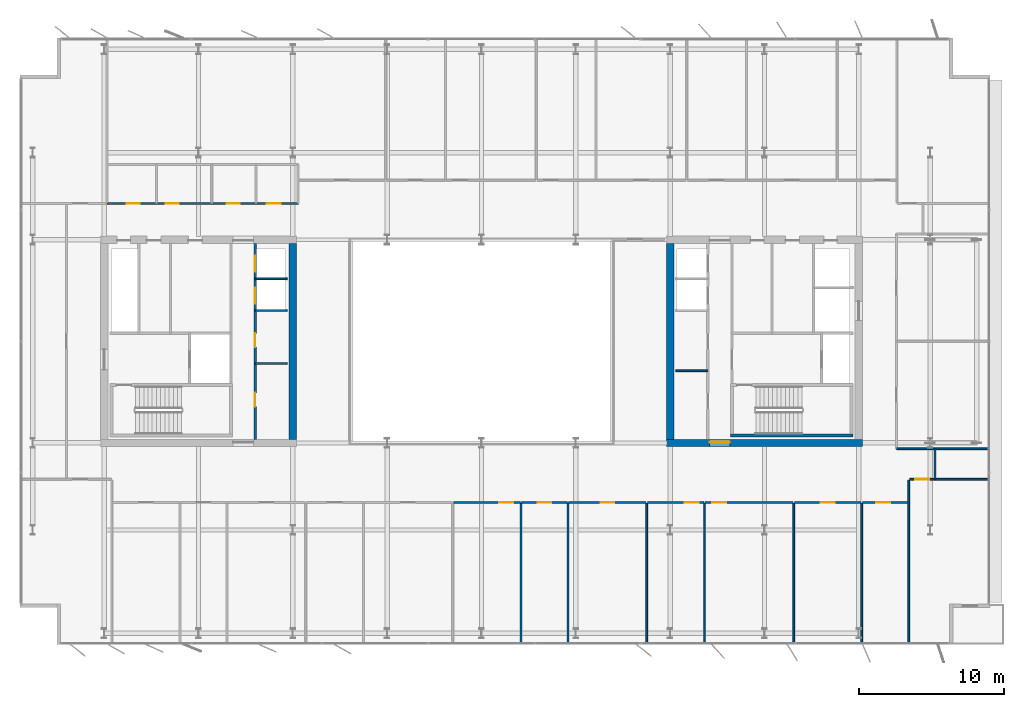
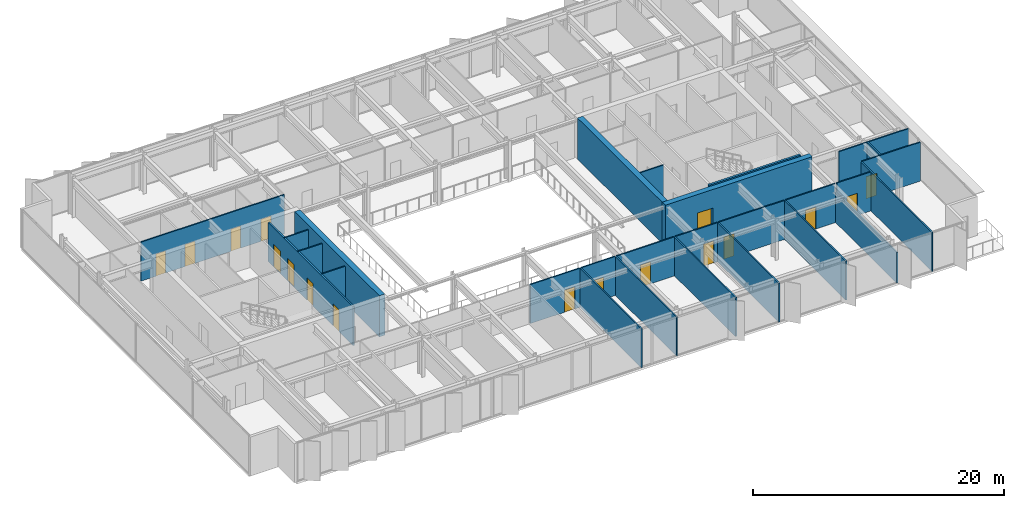
# One storey, part 14 of 20: 27 walls, 17 doors, 17 openings.
"""IFC4 building model written with IfcOpenShell, lengths in metres."""

from ifc_helpers import new_model, si_unit, direction, frame, frame_2d, origin, place, context, subcontext, project, spatial, rectangle, extrude, material, layer, layer_set, type_object, element, fill, save


model = new_model("IFC4")

# Units and contexts
model_context = context("Model", 3, precision=1e-05, world=origin(), true_north=direction((0.0, 1.0)))
body_context = subcontext(model_context, "Body", "Model", "MODEL_VIEW")
ifc_project = project(units=[si_unit("LENGTHUNIT", "METRE"), si_unit("AREAUNIT", "SQUARE_METRE"), si_unit("VOLUMEUNIT", "CUBIC_METRE"), si_unit("PLANEANGLEUNIT", "RADIAN"), si_unit("MASSUNIT", "GRAM", prefix="KILO")], contexts=[model_context])

# Site, building, storey
site_placement = place(None, origin())
site = spatial("IfcSite", under=ifc_project, at=site_placement, CompositionType="ELEMENT")
building_placement = place(site_placement, origin())
building = spatial("IfcBuilding", under=site, at=building_placement, Name="Putna Gate Headquarters", CompositionType="ELEMENT")
storey_placement = place(building_placement, frame((0.0, 0.0, 302.39990234375)))
storey = spatial("IfcBuildingStorey", under=building, at=storey_placement, Name="L76", CompositionType="ELEMENT", Elevation=302.39990234375)

# Wall
ifc_material_1 = material(Name="Concrete C50/60", Category="concrete")
ifc_layer_1 = layer(ifc_material_1, 0.5)
ifc_layer_set_1 = layer_set([ifc_layer_1], Name="Concrete C50/60")
wall_type_1 = type_object("IfcWallType", Name="WALL-CORE-500", PredefinedType="SHEAR", material=ifc_layer_set_1)
wall_1_placement = place(storey_placement, frame((26.0, 19.25, 0.0), z_axis=(0.0, 0.0, 1.0), x_axis=(0.0, 1.0, 0.0)))
element("IfcWall", 1, at=wall_1_placement, inside=storey, type_object=wall_type_1, Name="L76 WC Split Core Shear Wall E", PredefinedType="SHEAR", context=body_context, shape_type="SweptSolid", body=[
    extrude(rectangle(XDim=13.5, YDim=0.5, at=frame_2d((6.75, 0.0))), origin(), (0.0, 0.0, 1.0), 4.0),
])

# Wall, opening, door
wall_2_placement = place(storey_placement, frame((51.75, 19.0, 0.0), z_axis=(0.0, 0.0, 1.0), x_axis=(1.0, 0.0, 0.0)))
wall_2 = element("IfcWall", 2, at=wall_2_placement, inside=storey, type_object=wall_type_1, Name="L76 EC Split Core Shear Wall S", PredefinedType="SHEAR", context=body_context, shape_type="SweptSolid", body=[
    extrude(rectangle(XDim=13.5, YDim=0.5, at=frame_2d((6.75, 0.0))), origin(), (0.0, 0.0, 1.0), 4.0),
])
opening_1_placement = place(wall_2_placement, frame((2.969970703125, 0.0, 0.0)))
opening_1 = element("IfcOpeningElement", 3, at=opening_1_placement, cuts=wall_2, Name="Opening FDD-140", PredefinedType="OPENING", context=body_context, shape_type="SweptSolid", body=[
    extrude(rectangle(XDim=1.39990234375, YDim=2.199951171875, at=frame_2d((0.699951171875, 1.10009765625))), frame((0.0, 0.260009765625, 0.0), z_axis=(0.0, -1.0, 0.0), x_axis=(1.0, 0.0, 0.0)), (0.0, 0.0, 1.0), 0.52001953125),
])
ifc_material_2 = material(Name="Double steel fire door", Category="steel")
door_type_1 = type_object("IfcDoorType", Name="DOOR-FIRE-DBL-1400", OperationType="DOUBLE_DOOR_SINGLE_SWING", PredefinedType="DOOR", material=ifc_material_2)
door_1_placement = place(opening_1_placement, origin())
door_1 = element("IfcDoor", 4, at=door_1_placement, inside=storey, type_object=door_type_1, Name="L76 East Lift Lobby South Door", OperationType="DOUBLE_DOOR_SINGLE_SWING", OverallHeight=2.199951171875, OverallWidth=1.39990234375, PredefinedType="DOOR", context=body_context, shape_type="SweptSolid", body=[
    extrude(rectangle(XDim=1.39990234375, YDim=2.199951171875, at=frame_2d((0.699951171875, 1.10009765625))), frame((0.0, 0.0751953125, 0.0), z_axis=(0.0, -1.0, 0.0), x_axis=(1.0, 0.0, 0.0)), (0.0, 0.0, 1.0), 0.050048828125),
])
fill(opening_1, door_1)

# Walls
wall_3_placement = place(storey_placement, frame((52.0, 19.25, 0.0), z_axis=(0.0, 0.0, 1.0), x_axis=(0.0, 1.0, 0.0)))
element("IfcWall", 5, at=wall_3_placement, inside=storey, type_object=wall_type_1, Name="L76 EC Split Core Shear Wall W", PredefinedType="SHEAR", context=body_context, shape_type="SweptSolid", body=[
    extrude(rectangle(XDim=13.5, YDim=0.5, at=frame_2d((6.75, 0.0))), origin(), (0.0, 0.0, 1.0), 4.0),
])
ifc_material_3 = material(Name="Acoustic gypsum board on metal stud")
ifc_layer_2 = layer(ifc_material_3, 0.1201171875)
ifc_layer_set_2 = layer_set([ifc_layer_2], Name="Acoustic gypsum board on metal stud")
wall_type_2 = type_object("IfcWallType", Name="WALL-PART-120", PredefinedType="PARTITIONING", material=ifc_layer_set_2)
for number, where, z_axis, x_axis, name in (
    (6, (41.716552734375, 5.1201171875, 0.0), (0.0, 0.0, 1.0), (0.0, 1.0, 0.0), "L76 Interior Wall PART-L76-SB-DIV-07"),
    (7, (44.961181640625, 5.1201171875, 0.0), (0.0, 0.0, 1.0), (0.0, 1.0, 0.0), "L76 Interior Wall PART-L76-SB-DIV-08"),
    (8, (50.38720703125, 5.1201171875, 0.0), (0.0, 0.0, 1.0), (0.0, 1.0, 0.0), "L76 Interior Wall PART-L76-SB-DIV-09"),
    (9, (54.356689453125, 5.1201171875, 0.0), (0.0, 0.0, 1.0), (0.0, 1.0, 0.0), "L76 Interior Wall PART-L76-SB-DIV-10"),
    (10, (60.507080078125, 5.1201171875, 0.0), (0.0, 0.0, 1.0), (0.0, 1.0, 0.0), "L76 Interior Wall PART-L76-SB-DIV-11"),
):
    element("IfcWall", number, at=place(storey_placement, frame(where, z_axis=z_axis, x_axis=x_axis)), inside=storey, type_object=wall_type_2, Name=name, PredefinedType="PARTITIONING", context=body_context, shape_type="SweptSolid", body=[
        extrude(rectangle(XDim=9.719970703125, YDim=0.1201171875, at=frame_2d((4.85986328125, 0.0))), origin(), (0.0, 0.0, 1.0), 3.7880859375),
    ])
wall_4_placement = place(storey_placement, frame((65.201416015625, 5.1201171875, 0.0), z_axis=(0.0, 0.0, 1.0), x_axis=(0.0, 1.0, 0.0)))
element("IfcWall", 11, at=wall_4_placement, inside=storey, type_object=wall_type_2, Name="L76 Interior Wall PART-L76-SB-DIV-12", PredefinedType="PARTITIONING", context=body_context, shape_type="SweptSolid", body=[
    extrude(rectangle(XDim=9.719970703125, YDim=0.1201171875, at=frame_2d((4.85986328125, 0.0))), origin(), (0.0, 0.0, 1.0), 2.988037109375),
])
wall_5_placement = place(storey_placement, frame((68.4462890625, 5.1201171875, 0.0), z_axis=(0.0, 0.0, 1.0), x_axis=(0.0, 1.0, 0.0)))
element("IfcWall", 12, at=wall_5_placement, inside=storey, type_object=wall_type_2, Name="L76 Interior Wall PART-L76-SB-DIV-13", PredefinedType="PARTITIONING", context=body_context, shape_type="SweptSolid", body=[
    extrude(rectangle(XDim=11.31982421875, YDim=0.1201171875, at=frame_2d((5.659912109375, 0.0))), origin(), (0.0, 0.0, 1.0), 3.7880859375),
])
ifc_material_4 = material(Name="Fire-rated shaftwall gypsum board on metal stud")
ifc_layer_3 = layer(ifc_material_4, 0.1201171875)
ifc_layer_set_3 = layer_set([ifc_layer_3], Name="Fire-rated shaftwall gypsum board on metal stud")
wall_type_3 = type_object("IfcWallType", Name="WALL-PART-120-EI120", PredefinedType="PARTITIONING", material=ifc_layer_set_3)
wall_6_placement = place(storey_placement, frame((23.39990234375, 30.31005859375, 0.0), z_axis=(0.0, 0.0, 1.0), x_axis=(1.0, 0.0, 0.0)))
element("IfcWall", 13, at=wall_6_placement, inside=storey, type_object=wall_type_3, Name="L76 Interior Wall CWINT-L76-WC-LF09-DIV", PredefinedType="PARTITIONING", context=body_context, shape_type="SweptSolid", body=[
    extrude(rectangle(XDim=2.2001953125, YDim=0.1201171875, at=frame_2d((1.10009765625, 0.0))), origin(), (0.0, 0.0, 1.0), 3.7880859375),
])
ifc_material_5 = material(Name="Fire-rated gypsum board on metal stud")
ifc_layer_4 = layer(ifc_material_5, 0.1201171875)
ifc_layer_set_4 = layer_set([ifc_layer_4], Name="Fire-rated gypsum board on metal stud")
wall_type_4 = type_object("IfcWallType", Name="WALL-PART-120-RATED", PredefinedType="PARTITIONING", material=ifc_layer_set_4)
for number, where, z_axis, x_axis, name in (
    (14, (23.39990234375, 24.469970703125, 0.0), (0.0, 0.0, 1.0), (1.0, 0.0, 0.0), "L76 Interior Wall CWINT-L76-WC-REUSE-DIV"),
    (15, (23.39990234375, 28.1201171875, 0.0), (0.0, 0.0, 1.0), (1.0, 0.0, 0.0), "L76 Interior Wall CWINT-L76-WC-LF06-DIV"),
    (16, (52.39990234375, 23.969970703125, 0.0), (0.0, 0.0, 1.0), (1.0, 0.0, 0.0), "L76 Interior Wall CWINT-L76-EC-REUSE-DIV"),
):
    element("IfcWall", number, at=place(storey_placement, frame(where, z_axis=z_axis, x_axis=x_axis)), inside=storey, type_object=wall_type_4, Name=name, PredefinedType="PARTITIONING", context=body_context, shape_type="SweptSolid", body=[
        extrude(rectangle(XDim=2.2001953125, YDim=0.1201171875, at=frame_2d((1.10009765625, 0.0))), origin(), (0.0, 0.0, 1.0), 3.7880859375),
    ])
wall_7_placement = place(storey_placement, frame((70.246337890625, 16.5, 0.0), z_axis=(0.0, 0.0, 1.0), x_axis=(0.0, 1.0, 0.0)))
element("IfcWall", 17, at=wall_7_placement, inside=storey, type_object=wall_type_4, Name="L76 Interior Wall PART-L76-CORRS-CAPE", PredefinedType="PARTITIONING", context=body_context, shape_type="SweptSolid", body=[
    extrude(rectangle(XDim=2.10009765625, YDim=0.1201171875, at=frame_2d((1.050048828125, 0.0))), origin(), (0.0, 0.0, 1.0), 3.7880859375),
])

# Wall, openings, doors
wall_8_placement = place(storey_placement, frame((13.199951171875, 35.5, 0.0), z_axis=(0.0, 0.0, 1.0), x_axis=(1.0, 0.0, 0.0)))
wall_8 = element("IfcWall", 18, at=wall_8_placement, inside=storey, type_object=wall_type_4, Name="L76 Interior Wall PART-L76-SAN-CW", PredefinedType="PARTITIONING", context=body_context, shape_type="SweptSolid", body=[
    extrude(rectangle(XDim=13.16015625, YDim=0.1201171875, at=frame_2d((6.580078125, 0.0))), origin(), (0.0, 0.0, 1.0), 3.7880859375),
])
opening_2_placement = place(wall_8_placement, frame((1.35009765625, 0.0, 0.0)))
opening_2 = element("IfcOpeningElement", 19, at=opening_2_placement, cuts=wall_8, Name="Opening FD-90", PredefinedType="OPENING", context=body_context, shape_type="SweptSolid", body=[
    extrude(rectangle(XDim=0.89990234375, YDim=2.14990234375, at=frame_2d((0.449951171875, 1.074951171875))), frame((0.0, 0.070068359375, 0.0), z_axis=(0.0, -1.0, 0.0), x_axis=(1.0, 0.0, 0.0)), (0.0, 0.0, 1.0), 0.14013671875),
])
opening_3_placement = place(wall_8_placement, frame((4.050048828125, 0.0, 0.0)))
opening_3 = element("IfcOpeningElement", 20, at=opening_3_placement, cuts=wall_8, Name="Opening FD-90", PredefinedType="OPENING", context=body_context, shape_type="SweptSolid", body=[
    extrude(rectangle(XDim=0.89990234375, YDim=2.14990234375, at=frame_2d((0.449951171875, 1.074951171875))), frame((0.0, 0.070068359375, 0.0), z_axis=(0.0, -1.0, 0.0), x_axis=(1.0, 0.0, 0.0)), (0.0, 0.0, 1.0), 0.14013671875),
])
opening_4_placement = place(wall_8_placement, frame((8.25, 0.0, 0.0)))
opening_4 = element("IfcOpeningElement", 21, at=opening_4_placement, cuts=wall_8, Name="Opening FD-90", PredefinedType="OPENING", context=body_context, shape_type="SweptSolid", body=[
    extrude(rectangle(XDim=0.89990234375, YDim=2.14990234375, at=frame_2d((0.449951171875, 1.074951171875))), frame((0.0, 0.070068359375, 0.0), z_axis=(0.0, -1.0, 0.0), x_axis=(1.0, 0.0, 0.0)), (0.0, 0.0, 1.0), 0.14013671875),
])
opening_5_placement = place(wall_8_placement, frame((11.0, 0.0, 0.0)))
opening_5 = element("IfcOpeningElement", 22, at=opening_5_placement, cuts=wall_8, Name="Opening FD-95", PredefinedType="OPENING", context=body_context, shape_type="SweptSolid", body=[
    extrude(rectangle(XDim=0.949951171875, YDim=2.14990234375, at=frame_2d((0.47509765625, 1.074951171875))), frame((0.0, 0.070068359375, 0.0), z_axis=(0.0, -1.0, 0.0), x_axis=(1.0, 0.0, 0.0)), (0.0, 0.0, 1.0), 0.14013671875),
])
ifc_material_6 = material(Name="Acoustic washroom fire door")
door_type_2 = type_object("IfcDoorType", Name="DOOR-FIRE-900", OperationType="NOTDEFINED", PredefinedType="DOOR", material=ifc_material_6)
door_2_placement = place(opening_2_placement, origin())
door_2 = element("IfcDoor", 23, at=door_2_placement, inside=storey, type_object=door_type_2, Name="L76 Washroom Male Door", OperationType="SINGLE_SWING_RIGHT", OverallHeight=2.14990234375, OverallWidth=0.89990234375, PredefinedType="DOOR", context=body_context, shape_type="SweptSolid", body=[
    extrude(rectangle(XDim=0.89990234375, YDim=2.14990234375, at=frame_2d((0.449951171875, 1.074951171875))), frame((0.0, 0.02490234375, 0.0), z_axis=(0.0, -1.0, 0.0), x_axis=(1.0, 0.0, 0.0)), (0.0, 0.0, 1.0), 0.050048828125),
])
fill(opening_2, door_2)
door_3_placement = place(opening_3_placement, origin())
door_3 = element("IfcDoor", 24, at=door_3_placement, inside=storey, type_object=door_type_2, Name="L76 Washroom Female Door", OperationType="SINGLE_SWING_LEFT", OverallHeight=2.14990234375, OverallWidth=0.89990234375, PredefinedType="DOOR", context=body_context, shape_type="SweptSolid", body=[
    extrude(rectangle(XDim=0.89990234375, YDim=2.14990234375, at=frame_2d((0.449951171875, 1.074951171875))), frame((0.0, 0.02490234375, 0.0), z_axis=(0.0, -1.0, 0.0), x_axis=(1.0, 0.0, 0.0)), (0.0, 0.0, 1.0), 0.050048828125),
])
fill(opening_3, door_3)
door_4_placement = place(opening_4_placement, origin())
door_4 = element("IfcDoor", 25, at=door_4_placement, inside=storey, type_object=door_type_2, Name="L76 Accessible WC Door", OperationType="SINGLE_SWING_RIGHT", OverallHeight=2.14990234375, OverallWidth=0.89990234375, PredefinedType="DOOR", context=body_context, shape_type="SweptSolid", body=[
    extrude(rectangle(XDim=0.89990234375, YDim=2.14990234375, at=frame_2d((0.449951171875, 1.074951171875))), frame((0.0, 0.02490234375, 0.0), z_axis=(0.0, -1.0, 0.0), x_axis=(1.0, 0.0, 0.0)), (0.0, 0.0, 1.0), 0.050048828125),
])
fill(opening_4, door_4)
ifc_material_7 = material(Name="Acoustic timber fire door", Category="wood")
door_type_3 = type_object("IfcDoorType", Name="DOOR-FIRE-950", OperationType="NOTDEFINED", PredefinedType="DOOR", material=ifc_material_7)
door_5_placement = place(opening_5_placement, origin())
door_5 = element("IfcDoor", 26, at=door_5_placement, inside=storey, type_object=door_type_3, Name="L76 Staff Pantry and Tea Point Door", OperationType="SINGLE_SWING_LEFT", OverallHeight=2.14990234375, OverallWidth=0.949951171875, PredefinedType="DOOR", context=body_context, shape_type="SweptSolid", body=[
    extrude(rectangle(XDim=0.949951171875, YDim=2.14990234375, at=frame_2d((0.47509765625, 1.074951171875))), frame((0.0, 0.02490234375, 0.0), z_axis=(0.0, -1.0, 0.0), x_axis=(1.0, 0.0, 0.0)), (0.0, 0.0, 1.0), 0.050048828125),
])
fill(opening_5, door_5)

# Wall, opening, door
wall_9_placement = place(storey_placement, frame((37.075439453125, 14.89990234375, 0.0), z_axis=(0.0, 0.0, 1.0), x_axis=(1.0, 0.0, 0.0)))
wall_9 = element("IfcWall", 27, at=wall_9_placement, inside=storey, type_object=wall_type_4, Name="L76 Interior Wall PART-L76-SB-CW-07", PredefinedType="PARTITIONING", context=body_context, shape_type="SweptSolid", body=[
    extrude(rectangle(XDim=4.5810546875, YDim=0.1201171875, at=frame_2d((2.29052734375, 0.0))), origin(), (0.0, 0.0, 1.0), 3.7880859375),
])
opening_6_placement = place(wall_9_placement, frame((3.15087890625, 0.0, 0.0)))
opening_6 = element("IfcOpeningElement", 28, at=opening_6_placement, cuts=wall_9, Name="Opening FD-95", PredefinedType="OPENING", context=body_context, shape_type="SweptSolid", body=[
    extrude(rectangle(XDim=0.949951171875, YDim=2.14990234375, at=frame_2d((0.47509765625, 1.074951171875))), frame((0.0, 0.070068359375, 0.0), z_axis=(0.0, -1.0, 0.0), x_axis=(1.0, 0.0, 0.0)), (0.0, 0.0, 1.0), 0.14013671875),
])
door_6_placement = place(opening_6_placement, origin())
door_6 = element("IfcDoor", 29, at=door_6_placement, inside=storey, type_object=door_type_3, Name="L76 Collaborative Breakout Lounge 3 Door", OperationType="SINGLE_SWING_RIGHT", OverallHeight=2.14990234375, OverallWidth=0.949951171875, PredefinedType="DOOR", context=body_context, shape_type="SweptSolid", body=[
    extrude(rectangle(XDim=0.949951171875, YDim=2.14990234375, at=frame_2d((0.47509765625, 1.074951171875))), frame((0.0, 0.02490234375, 0.0), z_axis=(0.0, -1.0, 0.0), x_axis=(1.0, 0.0, 0.0)), (0.0, 0.0, 1.0), 0.050048828125),
])
fill(opening_6, door_6)

wall_10_placement = place(storey_placement, frame((41.776611328125, 14.89990234375, 0.0), z_axis=(0.0, 0.0, 1.0), x_axis=(1.0, 0.0, 0.0)))
wall_10 = element("IfcWall", 30, at=wall_10_placement, inside=storey, type_object=wall_type_4, Name="L76 Interior Wall PART-L76-SB-CW-08", PredefinedType="PARTITIONING", context=body_context, shape_type="SweptSolid", body=[
    extrude(rectangle(XDim=3.124755859375, YDim=0.1201171875, at=frame_2d((1.5625, 0.0))), origin(), (0.0, 0.0, 1.0), 3.7880859375),
])
opening_7_placement = place(wall_10_placement, frame((1.08740234375, 0.0, 0.0)))
opening_7 = element("IfcOpeningElement", 31, at=opening_7_placement, cuts=wall_10, Name="Opening FD-95", PredefinedType="OPENING", context=body_context, shape_type="SweptSolid", body=[
    extrude(rectangle(XDim=0.949951171875, YDim=2.14990234375, at=frame_2d((0.47509765625, 1.074951171875))), frame((0.0, 0.070068359375, 0.0), z_axis=(0.0, -1.0, 0.0), x_axis=(1.0, 0.0, 0.0)), (0.0, 0.0, 1.0), 0.14013671875),
])
door_7_placement = place(opening_7_placement, origin())
door_7 = element("IfcDoor", 32, at=door_7_placement, inside=storey, type_object=door_type_3, Name="L76 Quiet Wellness Focus Studio 1 Door", OperationType="SINGLE_SWING_LEFT", OverallHeight=2.14990234375, OverallWidth=0.949951171875, PredefinedType="DOOR", context=body_context, shape_type="SweptSolid", body=[
    extrude(rectangle(XDim=0.949951171875, YDim=2.14990234375, at=frame_2d((0.47509765625, 1.074951171875))), frame((0.0, 0.02490234375, 0.0), z_axis=(0.0, -1.0, 0.0), x_axis=(1.0, 0.0, 0.0)), (0.0, 0.0, 1.0), 0.050048828125),
])
fill(opening_7, door_7)

wall_11_placement = place(storey_placement, frame((45.021240234375, 14.89990234375, 0.0), z_axis=(0.0, 0.0, 1.0), x_axis=(1.0, 0.0, 0.0)))
wall_11 = element("IfcWall", 33, at=wall_11_placement, inside=storey, type_object=wall_type_4, Name="L76 Interior Wall PART-L76-SB-CW-09", PredefinedType="PARTITIONING", context=body_context, shape_type="SweptSolid", body=[
    extrude(rectangle(XDim=5.305908203125, YDim=0.1201171875, at=frame_2d((2.65283203125, 0.0))), origin(), (0.0, 0.0, 1.0), 3.7880859375),
])
opening_8_placement = place(wall_11_placement, frame((2.177978515625, 0.0, 0.0)))
opening_8 = element("IfcOpeningElement", 34, at=opening_8_placement, cuts=wall_11, Name="Opening FD-95", PredefinedType="OPENING", context=body_context, shape_type="SweptSolid", body=[
    extrude(rectangle(XDim=0.949951171875, YDim=2.14990234375, at=frame_2d((0.47509765625, 1.074951171875))), frame((0.0, 0.070068359375, 0.0), z_axis=(0.0, -1.0, 0.0), x_axis=(1.0, 0.0, 0.0)), (0.0, 0.0, 1.0), 0.14013671875),
])
door_8_placement = place(opening_8_placement, origin())
door_8 = element("IfcDoor", 35, at=door_8_placement, inside=storey, type_object=door_type_3, Name="L76 Quiet Wellness Focus Studio 2 Door", OperationType="SINGLE_SWING_RIGHT", OverallHeight=2.14990234375, OverallWidth=0.949951171875, PredefinedType="DOOR", context=body_context, shape_type="SweptSolid", body=[
    extrude(rectangle(XDim=0.949951171875, YDim=2.14990234375, at=frame_2d((0.47509765625, 1.074951171875))), frame((0.0, 0.02490234375, 0.0), z_axis=(0.0, -1.0, 0.0), x_axis=(1.0, 0.0, 0.0)), (0.0, 0.0, 1.0), 0.050048828125),
])
fill(opening_8, door_8)

wall_12_placement = place(storey_placement, frame((50.447021484375, 14.89990234375, 0.0), z_axis=(0.0, 0.0, 1.0), x_axis=(1.0, 0.0, 0.0)))
wall_12 = element("IfcWall", 36, at=wall_12_placement, inside=storey, type_object=wall_type_4, Name="L76 Interior Wall PART-L76-SB-CW-10", PredefinedType="PARTITIONING", context=body_context, shape_type="SweptSolid", body=[
    extrude(rectangle(XDim=3.849609375, YDim=0.1201171875, at=frame_2d((1.9248046875, 0.0))), origin(), (0.0, 0.0, 1.0), 3.7880859375),
])
opening_9_placement = place(wall_12_placement, frame((2.558837890625, 0.0, 0.0)))
opening_9 = element("IfcOpeningElement", 37, at=opening_9_placement, cuts=wall_12, Name="Opening FD-95", PredefinedType="OPENING", context=body_context, shape_type="SweptSolid", body=[
    extrude(rectangle(XDim=0.949951171875, YDim=2.14990234375, at=frame_2d((0.47509765625, 1.074951171875))), frame((0.0, 0.070068359375, 0.0), z_axis=(0.0, -1.0, 0.0), x_axis=(1.0, 0.0, 0.0)), (0.0, 0.0, 1.0), 0.14013671875),
])
door_9_placement = place(opening_9_placement, origin())
door_9 = element("IfcDoor", 38, at=door_9_placement, inside=storey, type_object=door_type_3, Name="L76 Quiet Wellness Focus Studio 3 Door", OperationType="SINGLE_SWING_LEFT", OverallHeight=2.14990234375, OverallWidth=0.949951171875, PredefinedType="DOOR", context=body_context, shape_type="SweptSolid", body=[
    extrude(rectangle(XDim=0.949951171875, YDim=2.14990234375, at=frame_2d((0.47509765625, 1.074951171875))), frame((0.0, 0.02490234375, 0.0), z_axis=(0.0, -1.0, 0.0), x_axis=(1.0, 0.0, 0.0)), (0.0, 0.0, 1.0), 0.050048828125),
])
fill(opening_9, door_9)

wall_13_placement = place(storey_placement, frame((54.416748046875, 14.89990234375, 0.0), z_axis=(0.0, 0.0, 1.0), x_axis=(1.0, 0.0, 0.0)))
wall_13 = element("IfcWall", 39, at=wall_13_placement, inside=storey, type_object=wall_type_4, Name="L76 Interior Wall PART-L76-SB-CW-11", PredefinedType="PARTITIONING", context=body_context, shape_type="SweptSolid", body=[
    extrude(rectangle(XDim=6.030517578125, YDim=0.1201171875, at=frame_2d((3.01513671875, 0.0))), origin(), (0.0, 0.0, 1.0), 3.7880859375),
])
opening_10_placement = place(wall_13_placement, frame((0.47998046875, 0.0, 0.0)))
opening_10 = element("IfcOpeningElement", 40, at=opening_10_placement, cuts=wall_13, Name="Opening FD-95", PredefinedType="OPENING", context=body_context, shape_type="SweptSolid", body=[
    extrude(rectangle(XDim=0.949951171875, YDim=2.14990234375, at=frame_2d((0.47509765625, 1.074951171875))), frame((0.0, 0.070068359375, 0.0), z_axis=(0.0, -1.0, 0.0), x_axis=(1.0, 0.0, 0.0)), (0.0, 0.0, 1.0), 0.14013671875),
])
door_10_placement = place(opening_10_placement, origin())
door_10 = element("IfcDoor", 41, at=door_10_placement, inside=storey, type_object=door_type_3, Name="L76 Cellular Office 1 Door", OperationType="SINGLE_SWING_RIGHT", OverallHeight=2.14990234375, OverallWidth=0.949951171875, PredefinedType="DOOR", context=body_context, shape_type="SweptSolid", body=[
    extrude(rectangle(XDim=0.949951171875, YDim=2.14990234375, at=frame_2d((0.47509765625, 1.074951171875))), frame((0.0, 0.02490234375, 0.0), z_axis=(0.0, -1.0, 0.0), x_axis=(1.0, 0.0, 0.0)), (0.0, 0.0, 1.0), 0.050048828125),
])
fill(opening_10, door_10)

wall_14_placement = place(storey_placement, frame((60.567138671875, 14.89990234375, 0.0), z_axis=(0.0, 0.0, 1.0), x_axis=(1.0, 0.0, 0.0)))
wall_14 = element("IfcWall", 42, at=wall_14_placement, inside=storey, type_object=wall_type_4, Name="L76 Interior Wall PART-L76-SB-CW-12", PredefinedType="PARTITIONING", context=body_context, shape_type="SweptSolid", body=[
    extrude(rectangle(XDim=4.574462890625, YDim=0.1201171875, at=frame_2d((2.287109375, 0.0))), origin(), (0.0, 0.0, 1.0), 3.7880859375),
])
opening_11_placement = place(wall_14_placement, frame((1.81201171875, 0.0, 0.0)))
opening_11 = element("IfcOpeningElement", 43, at=opening_11_placement, cuts=wall_14, Name="Opening FD-95", PredefinedType="OPENING", context=body_context, shape_type="SweptSolid", body=[
    extrude(rectangle(XDim=0.949951171875, YDim=2.14990234375, at=frame_2d((0.47509765625, 1.074951171875))), frame((0.0, 0.070068359375, 0.0), z_axis=(0.0, -1.0, 0.0), x_axis=(1.0, 0.0, 0.0)), (0.0, 0.0, 1.0), 0.14013671875),
])
door_11_placement = place(opening_11_placement, origin())
door_11 = element("IfcDoor", 44, at=door_11_placement, inside=storey, type_object=door_type_3, Name="L76 Cellular Office 2 Door", OperationType="SINGLE_SWING_LEFT", OverallHeight=2.14990234375, OverallWidth=0.949951171875, PredefinedType="DOOR", context=body_context, shape_type="SweptSolid", body=[
    extrude(rectangle(XDim=0.949951171875, YDim=2.14990234375, at=frame_2d((0.47509765625, 1.074951171875))), frame((0.0, 0.02490234375, 0.0), z_axis=(0.0, -1.0, 0.0), x_axis=(1.0, 0.0, 0.0)), (0.0, 0.0, 1.0), 0.050048828125),
])
fill(opening_11, door_11)

wall_15_placement = place(storey_placement, frame((65.261474609375, 14.89990234375, 0.0), z_axis=(0.0, 0.0, 1.0), x_axis=(1.0, 0.0, 0.0)))
wall_15 = element("IfcWall", 45, at=wall_15_placement, inside=storey, type_object=wall_type_4, Name="L76 Interior Wall PART-L76-SB-CW-13", PredefinedType="PARTITIONING", context=body_context, shape_type="SweptSolid", body=[
    extrude(rectangle(XDim=3.124755859375, YDim=0.1201171875, at=frame_2d((1.5625, 0.0))), origin(), (0.0, 0.0, 1.0), 3.7880859375),
])
opening_12_placement = place(wall_15_placement, frame((0.9375, 0.0, 0.0)))
opening_12 = element("IfcOpeningElement", 46, at=opening_12_placement, cuts=wall_15, Name="Opening FD-95", PredefinedType="OPENING", context=body_context, shape_type="SweptSolid", body=[
    extrude(rectangle(XDim=0.949951171875, YDim=2.14990234375, at=frame_2d((0.47509765625, 1.074951171875))), frame((0.0, 0.070068359375, 0.0), z_axis=(0.0, -1.0, 0.0), x_axis=(1.0, 0.0, 0.0)), (0.0, 0.0, 1.0), 0.14013671875),
])
door_12_placement = place(opening_12_placement, origin())
door_12 = element("IfcDoor", 47, at=door_12_placement, inside=storey, type_object=door_type_3, Name="L76 Cellular Office 3 Door", OperationType="SINGLE_SWING_RIGHT", OverallHeight=2.14990234375, OverallWidth=0.949951171875, PredefinedType="DOOR", context=body_context, shape_type="SweptSolid", body=[
    extrude(rectangle(XDim=0.949951171875, YDim=2.14990234375, at=frame_2d((0.47509765625, 1.074951171875))), frame((0.0, 0.02490234375, 0.0), z_axis=(0.0, -1.0, 0.0), x_axis=(1.0, 0.0, 0.0)), (0.0, 0.0, 1.0), 0.050048828125),
])
fill(opening_12, door_12)

wall_16_placement = place(storey_placement, frame((68.50634765625, 16.5, 0.0), z_axis=(0.0, 0.0, 1.0), x_axis=(1.0, 0.0, 0.0)))
wall_16 = element("IfcWall", 48, at=wall_16_placement, inside=storey, type_object=wall_type_4, Name="L76 Interior Wall PART-L76-SB-CW-14", PredefinedType="PARTITIONING", context=body_context, shape_type="SweptSolid", body=[
    extrude(rectangle(XDim=5.36572265625, YDim=0.1201171875, at=frame_2d((2.682861328125, 0.0))), origin(), (0.0, 0.0, 1.0), 3.7880859375),
])
opening_13_placement = place(wall_16_placement, frame((0.39501953125, 0.0, 0.0)))
opening_13 = element("IfcOpeningElement", 49, at=opening_13_placement, cuts=wall_16, Name="Opening FD-95", PredefinedType="OPENING", context=body_context, shape_type="SweptSolid", body=[
    extrude(rectangle(XDim=0.949951171875, YDim=2.14990234375, at=frame_2d((0.47509765625, 1.074951171875))), frame((0.0, 0.070068359375, 0.0), z_axis=(0.0, -1.0, 0.0), x_axis=(1.0, 0.0, 0.0)), (0.0, 0.0, 1.0), 0.14013671875),
])
door_13_placement = place(opening_13_placement, origin())
door_13 = element("IfcDoor", 50, at=door_13_placement, inside=storey, type_object=door_type_3, Name="L76 Cellular Office 7 Door", OperationType="SINGLE_SWING_LEFT", OverallHeight=2.14990234375, OverallWidth=0.949951171875, PredefinedType="DOOR", context=body_context, shape_type="SweptSolid", body=[
    extrude(rectangle(XDim=0.949951171875, YDim=2.14990234375, at=frame_2d((0.47509765625, 1.074951171875))), frame((0.0, 0.02490234375, 0.0), z_axis=(0.0, -1.0, 0.0), x_axis=(1.0, 0.0, 0.0)), (0.0, 0.0, 1.0), 0.050048828125),
])
fill(opening_13, door_13)

# Wall
wall_17_placement = place(storey_placement, frame((67.60009765625, 18.60009765625, 0.0), z_axis=(0.0, 0.0, 1.0), x_axis=(1.0, 0.0, 0.0)))
element("IfcWall", 51, at=wall_17_placement, inside=storey, type_object=wall_type_4, Name="L76 Interior Wall PART-L76-EW-S-BOUND", PredefinedType="PARTITIONING", context=body_context, shape_type="SweptSolid", body=[
    extrude(rectangle(XDim=6.431884765625, YDim=0.1201171875, at=frame_2d((3.2158203125, 0.0))), origin(), (0.0, 0.0, 1.0), 3.7880859375),
])

# Wall, openings, doors
ifc_material_8 = material(Name="Concrete C40/50", Category="concrete")
ifc_layer_5 = layer(ifc_material_8, 0.159912109375)
ifc_layer_set_5 = layer_set([ifc_layer_5], Name="Concrete C40/50")
wall_type_5 = type_object("IfcWallType", Name="WALL-SHAFT-160", PredefinedType="STANDARD", material=ifc_layer_set_5)
wall_18_placement = place(storey_placement, frame((23.39990234375, 19.25, 0.0), z_axis=(0.0, 0.0, 1.0), x_axis=(0.0, 1.0, 0.0)))
wall_18 = element("IfcWall", 52, at=wall_18_placement, inside=storey, type_object=wall_type_5, Name="L76 Interior Wall CWINT-L76-WC-PL-WALL", PredefinedType="STANDARD", context=body_context, shape_type="SweptSolid", body=[
    extrude(rectangle(XDim=13.5, YDim=0.159912109375, at=frame_2d((6.75, 0.0))), origin(), (0.0, 0.0, 1.0), 3.7880859375),
])
opening_14_placement = place(wall_18_placement, frame((2.25, 0.0, 0.0)))
opening_14 = element("IfcOpeningElement", 53, at=opening_14_placement, cuts=wall_18, Name="Opening IDS-95", PredefinedType="OPENING", context=body_context, shape_type="SweptSolid", body=[
    extrude(rectangle(XDim=0.949951171875, YDim=2.14990234375, at=frame_2d((0.47509765625, 1.074951171875))), frame((0.0, 0.08984375, 0.0), z_axis=(0.0, -1.0, 0.0), x_axis=(1.0, 0.0, 0.0)), (0.0, 0.0, 1.0), 0.179931640625),
])
opening_15_placement = place(wall_18_placement, frame((6.35009765625, 0.0, 0.0)))
opening_15 = element("IfcOpeningElement", 54, at=opening_15_placement, cuts=wall_18, Name="Opening IDS-95", PredefinedType="OPENING", context=body_context, shape_type="SweptSolid", body=[
    extrude(rectangle(XDim=0.949951171875, YDim=2.14990234375, at=frame_2d((0.47509765625, 1.074951171875))), frame((0.0, 0.08984375, 0.0), z_axis=(0.0, -1.0, 0.0), x_axis=(1.0, 0.0, 0.0)), (0.0, 0.0, 1.0), 0.179931640625),
])
opening_16_placement = place(wall_18_placement, frame((9.35009765625, 0.0, 0.0)))
opening_16 = element("IfcOpeningElement", 55, at=opening_16_placement, cuts=wall_18, Name="Opening LD-1", PredefinedType="OPENING", context=body_context, shape_type="SweptSolid", body=[
    extrude(rectangle(XDim=1.10009765625, YDim=2.199951171875, at=frame_2d((0.550048828125, 1.10009765625))), frame((0.0, 0.08984375, 0.0), z_axis=(0.0, -1.0, 0.0), x_axis=(1.0, 0.0, 0.0)), (0.0, 0.0, 1.0), 0.179931640625),
])
opening_17_placement = place(wall_18_placement, frame((11.550048828125, 0.0, 0.0)))
opening_17 = element("IfcOpeningElement", 56, at=opening_17_placement, cuts=wall_18, Name="Opening LD-1", PredefinedType="OPENING", context=body_context, shape_type="SweptSolid", body=[
    extrude(rectangle(XDim=1.10009765625, YDim=2.199951171875, at=frame_2d((0.550048828125, 1.10009765625))), frame((0.0, 0.08984375, 0.0), z_axis=(0.0, -1.0, 0.0), x_axis=(1.0, 0.0, 0.0)), (0.0, 0.0, 1.0), 0.179931640625),
])
ifc_material_9 = material(Name="Fire-rated service timber door", Category="wood")
door_type_4 = type_object("IfcDoorType", Name="DOOR-INT-950", OperationType="NOTDEFINED", PredefinedType="DOOR", material=ifc_material_9)
door_14_placement = place(opening_14_placement, origin())
door_14 = element("IfcDoor", 57, at=door_14_placement, inside=storey, type_object=door_type_4, Name="L76 Tenant IT Hub Door", OperationType="SINGLE_SWING_LEFT", OverallHeight=2.14990234375, OverallWidth=0.949951171875, PredefinedType="DOOR", context=body_context, shape_type="SweptSolid", body=[
    extrude(rectangle(XDim=0.949951171875, YDim=2.14990234375, at=frame_2d((0.47509765625, 1.074951171875))), frame((0.0, 0.02490234375, 0.0), z_axis=(0.0, -1.0, 0.0), x_axis=(1.0, 0.0, 0.0)), (0.0, 0.0, 1.0), 0.050048828125),
])
fill(opening_14, door_14)
door_15_placement = place(opening_15_placement, origin())
door_15 = element("IfcDoor", 58, at=door_15_placement, inside=storey, type_object=door_type_4, Name="L76 Records Vault Door", OperationType="SINGLE_SWING_RIGHT", OverallHeight=2.14990234375, OverallWidth=0.949951171875, PredefinedType="DOOR", context=body_context, shape_type="SweptSolid", body=[
    extrude(rectangle(XDim=0.949951171875, YDim=2.14990234375, at=frame_2d((0.47509765625, 1.074951171875))), frame((0.0, 0.02490234375, 0.0), z_axis=(0.0, -1.0, 0.0), x_axis=(1.0, 0.0, 0.0)), (0.0, 0.0, 1.0), 0.050048828125),
])
fill(opening_15, door_15)
ifc_material_10 = material(Name="Brushed bronze stainless lift landing door")
door_type_5 = type_object("IfcDoorType", Name="DOOR-LIFT-1100", OperationType="DOUBLE_DOOR_SLIDING", PredefinedType="DOOR", material=ifc_material_10)
door_16_placement = place(opening_16_placement, origin())
door_16 = element("IfcDoor", 59, at=door_16_placement, inside=storey, type_object=door_type_5, Name="L76 Lift Landing Door LD-09", OperationType="DOUBLE_DOOR_SLIDING", OverallHeight=2.199951171875, OverallWidth=1.10009765625, PredefinedType="DOOR", context=body_context, shape_type="SweptSolid", body=[
    extrude(rectangle(XDim=1.10009765625, YDim=2.199951171875, at=frame_2d((0.550048828125, 1.10009765625))), frame((0.0, 0.02490234375, 0.0), z_axis=(0.0, -1.0, 0.0), x_axis=(1.0, 0.0, 0.0)), (0.0, 0.0, 1.0), 0.050048828125),
])
fill(opening_16, door_16)
door_17_placement = place(opening_17_placement, origin())
door_17 = element("IfcDoor", 60, at=door_17_placement, inside=storey, type_object=door_type_5, Name="L76 Lift Landing Door LD-10", OperationType="DOUBLE_DOOR_SLIDING", OverallHeight=2.199951171875, OverallWidth=1.10009765625, PredefinedType="DOOR", context=body_context, shape_type="SweptSolid", body=[
    extrude(rectangle(XDim=1.10009765625, YDim=2.199951171875, at=frame_2d((0.550048828125, 1.10009765625))), frame((0.0, 0.02490234375, 0.0), z_axis=(0.0, -1.0, 0.0), x_axis=(1.0, 0.0, 0.0)), (0.0, 0.0, 1.0), 0.050048828125),
])
fill(opening_17, door_17)

# Wall
ifc_layer_6 = layer(ifc_material_8, 0.199951171875)
ifc_layer_set_6 = layer_set([ifc_layer_6], Name="Concrete C40/50")
wall_type_6 = type_object("IfcWallType", Name="WALL-SHAFT-RC200", PredefinedType="SHEAR", material=ifc_layer_set_6)
wall_19_placement = place(storey_placement, frame((56.159912109375, 19.510009765625, 0.0), z_axis=(0.0, 0.0, 1.0), x_axis=(1.0, 0.0, 0.0)))
element("IfcWall", 61, at=wall_19_placement, inside=storey, type_object=wall_type_6, Name="L76 Stair ST2 Structural Shaft Wall S", PredefinedType="SHEAR", context=body_context, shape_type="SweptSolid", body=[
    extrude(rectangle(XDim=8.43017578125, YDim=0.199951171875, at=frame_2d((4.215087890625, 0.0))), origin(), (0.0, 0.0, 1.0), 4.0),
])

save(model, "model.ifc")
